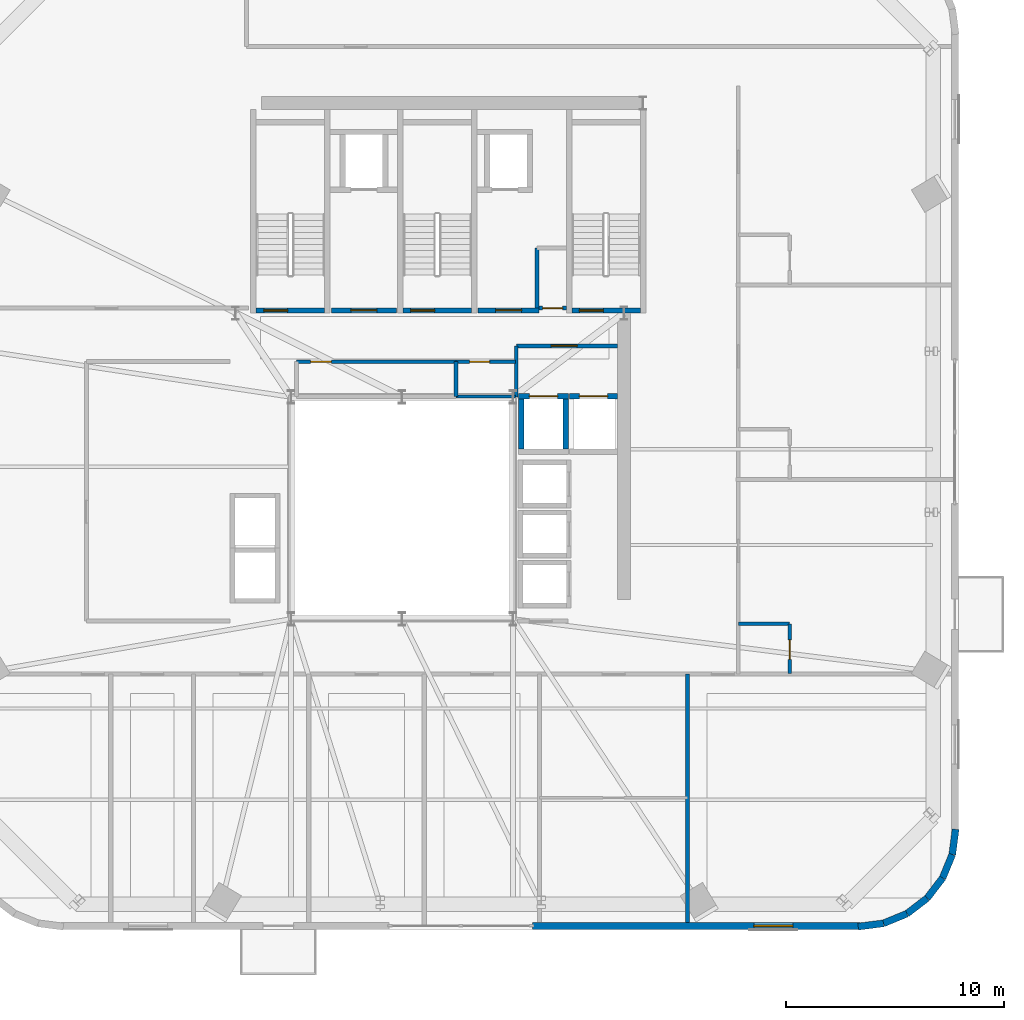
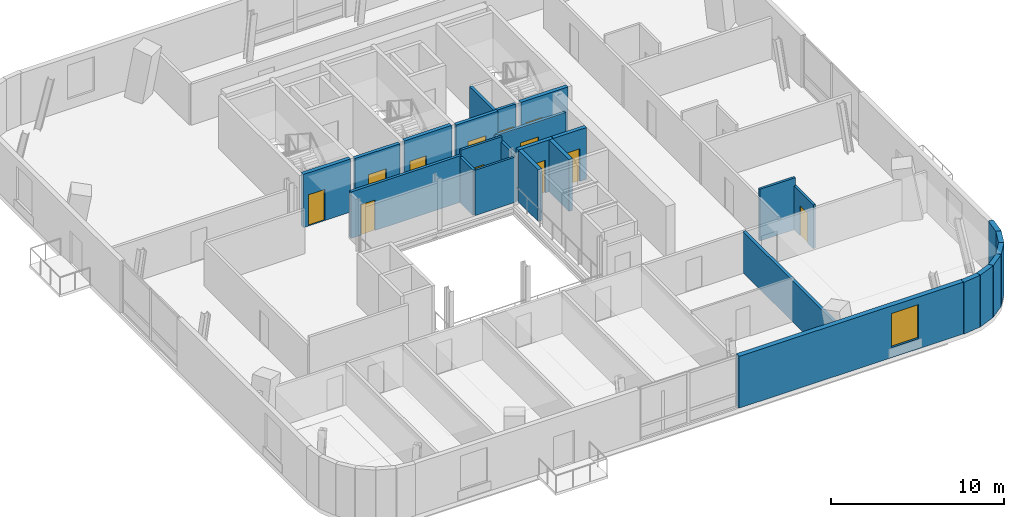
# One storey, part 9 of 15: 27 walls, 12 doors, 1 window, 13 openings.
"""IFC4 building model written with IfcOpenShell, lengths in metres."""

from ifc_helpers import new_model, si_unit, direction, frame, frame_2d, origin, place, context, subcontext, project, spatial, rectangle, extrude, source, transform, mapped, material, layer, layer_set, type_object, element, fill, save


model = new_model("IFC4")

# Units and contexts
model_context = context("Model", 3, precision=1e-05, world=origin(), true_north=direction((0.0, 1.0)))
body_context = subcontext(model_context, "Body", "Model", "MODEL_VIEW")
ifc_project = project(units=[si_unit("LENGTHUNIT", "METRE"), si_unit("AREAUNIT", "SQUARE_METRE"), si_unit("VOLUMEUNIT", "CUBIC_METRE"), si_unit("PLANEANGLEUNIT", "RADIAN"), si_unit("MASSUNIT", "GRAM", prefix="KILO")], contexts=[model_context])

# Site, building, storey
site_placement = place(None, origin())
site = spatial("IfcSite", under=ifc_project, at=site_placement, CompositionType="ELEMENT")
building_placement = place(site_placement, origin())
building = spatial("IfcBuilding", under=site, at=building_placement, Name="Vardaveli Station Tower", CompositionType="ELEMENT")
storey_placement = place(building_placement, frame((0.0, 0.0, 258.5)))
storey = spatial("IfcBuildingStorey", under=building, at=storey_placement, Name="L66", CompositionType="ELEMENT", Elevation=258.5)

# Walls
ifc_material_1 = material(Name="Precast concrete C45/55", Category="concrete")
ifc_layer_1 = layer(ifc_material_1, 0.320068359375, Name="Precast concrete C45/55")
ifc_layer_set_1 = layer_set([ifc_layer_1], Name="Precast concrete C45/55")
wall_type_1 = type_object("IfcWallType", Name="WAL-EXT-STONE-320", PredefinedType="SOLIDWALL", material=ifc_layer_set_1)
shared_shape_1 = source(origin(), body_context, "Body", "SweptSolid", [
    extrude(rectangle(XDim=1.1689453125, YDim=0.320068359375, at=frame_2d((0.58447265625, 0.0))), origin(), (0.0, 0.0, 1.0), 3.64990234375),
])
wall_1_placement = place(storey_placement, frame((58.42041015625, 2.61474609375, 0.0), z_axis=(0.0, 0.0, 1.0), x_axis=(0.924522320046, 0.381127904695, 0.0)))
element("IfcWall", 1, at=wall_1_placement, inside=storey, type_object=wall_type_1, Name="EW-L66-CR2-2", PredefinedType="SOLIDWALL", context=body_context, shape_type="MappedRepresentation", body=[
    mapped(shared_shape_1, transform((0.0, 0.0, 0.0), scale=1.0)),
])
shared_shape_2 = source(origin(), body_context, "Body", "SweptSolid", [
    extrude(rectangle(XDim=1.168701171875, YDim=0.320068359375, at=frame_2d((0.58447265625, 0.0))), origin(), (0.0, 0.0, 1.0), 3.64990234375),
])
wall_2_placement = place(storey_placement, frame((59.501220703125, 3.060302734375, 0.0), z_axis=(0.0, 0.0, 1.0), x_axis=(0.793740819745, 0.608256122921, 0.0)))
element("IfcWall", 2, at=wall_2_placement, inside=storey, type_object=wall_type_1, Name="EW-L66-CR2-3", PredefinedType="SOLIDWALL", context=body_context, shape_type="MappedRepresentation", body=[
    mapped(shared_shape_2, transform((0.0, 0.0, 0.0), scale=1.0)),
])
shared_shape_3 = source(origin(), body_context, "Body", "SweptSolid", [
    extrude(rectangle(XDim=1.170166015625, YDim=0.320068359375, at=frame_2d((0.5849609375, 0.0))), origin(), (0.0, 0.0, 1.0), 3.64990234375),
])
for number, where, z_axis, x_axis, name in (
    (3, (57.259765625, 2.46484375, 0.0), (0.0, 0.0, 1.0), (0.991762485493, 0.128090485085, 0.0), "EW-L66-CR2-1"),
    (4, (61.58544921875, 5.779541015625, 0.0), (0.0, 0.0, 1.0), (0.128090485085, 0.991762485493, 0.0), "EW-L66-CR2-6"),
):
    element("IfcWall", number, at=place(storey_placement, frame(where, z_axis=z_axis, x_axis=x_axis)), inside=storey, type_object=wall_type_1, Name=name, PredefinedType="SOLIDWALL", context=body_context, shape_type="MappedRepresentation", body=[
        mapped(shared_shape_3, transform((0.0, 0.0, 0.0), scale=1.0)),
    ])
shared_shape_4 = source(origin(), body_context, "Body", "SweptSolid", [
    extrude(rectangle(XDim=1.169189453125, YDim=0.320068359375, at=frame_2d((0.58447265625, 0.0))), origin(), (0.0, 0.0, 1.0), 3.64990234375),
])
wall_3_placement = place(storey_placement, frame((61.1396484375, 4.69873046875, 0.0), z_axis=(0.0, 0.0, 1.0), x_axis=(0.381306385215, 0.924448722534, 0.0)))
element("IfcWall", 5, at=wall_3_placement, inside=storey, type_object=wall_type_1, Name="EW-L66-CR2-5", PredefinedType="SOLIDWALL", context=body_context, shape_type="MappedRepresentation", body=[
    mapped(shared_shape_4, transform((0.0, 0.0, 0.0), scale=1.0)),
])

# Wall, opening, window
shared_shape_5 = source(origin(), body_context, "Body", "SweptSolid", [
    extrude(rectangle(XDim=15.06005859375, YDim=0.320068359375, at=frame_2d((7.530029296875, 0.0))), origin(), (0.0, 0.0, 1.0), 3.64990234375),
])
wall_4_placement = place(storey_placement, frame((42.300048828125, 2.5, 0.0), z_axis=(0.0, 0.0, 1.0), x_axis=(1.0, 0.0, 0.0)))
wall_4 = element("IfcWall", 6, at=wall_4_placement, inside=storey, type_object=wall_type_1, Name="EW-L66-S2", PredefinedType="SOLIDWALL", context=body_context, shape_type="MappedRepresentation", body=[
    mapped(shared_shape_5, transform((0.0, 0.0, 0.0), scale=1.0)),
])
shared_shape_6 = source(origin(), body_context, "Body", "SweptSolid", [
    extrude(rectangle(XDim=1.800048828125, YDim=2.39990234375, at=frame_2d((0.89990234375, 1.199951171875))), frame((0.0, 0.169921875, 0.0), z_axis=(0.0, -1.0, 0.0), x_axis=(1.0, 0.0, 0.0)), (0.0, 0.0, 1.0), 0.340087890625),
])
opening_1_placement = place(wall_4_placement, frame((10.1630859375, 0.0, 0.719970703125)))
opening_1 = element("IfcOpeningElement", 7, at=opening_1_placement, cuts=wall_4, Name="Opening W-05", PredefinedType="OPENING", context=body_context, shape_type="MappedRepresentation", body=[
    mapped(shared_shape_6, transform((0.0, 0.0, 0.0), scale=1.0)),
])
ifc_material_2 = material(Name="Low-E solar-control glass", Category="glass")
window_type = type_object("IfcWindowType", Name="WIN-HIGH-1800x2400", PartitioningType="SINGLE_PANEL", PredefinedType="WINDOW", material=ifc_material_2)
shared_shape_7 = source(origin(), body_context, "Body", "SweptSolid", [
    extrude(rectangle(XDim=1.800048828125, YDim=2.39990234375, at=frame_2d((0.89990234375, 1.199951171875))), frame((0.0, 0.030029296875, 0.0), z_axis=(0.0, -1.0, 0.0), x_axis=(1.0, 0.0, 0.0)), (0.0, 0.0, 1.0), 0.06005859375),
])
window_placement = place(opening_1_placement, origin())
window = element("IfcWindow", 8, at=window_placement, inside=storey, type_object=window_type, Name="WN-L66-S2", OverallHeight=2.39990234375, OverallWidth=1.800048828125, PartitioningType="SINGLE_PANEL", PredefinedType="WINDOW", context=body_context, shape_type="MappedRepresentation", body=[
    mapped(shared_shape_7, transform((0.0, 0.0, 0.0), scale=1.0)),
])
fill(opening_1, window)

# Wall
shared_shape_8 = source(origin(), body_context, "Body", "SweptSolid", [
    extrude(rectangle(XDim=1.16845703125, YDim=0.320068359375, at=frame_2d((0.584228515625, 0.0))), origin(), (0.0, 0.0, 1.0), 3.64990234375),
])
wall_5_placement = place(storey_placement, frame((60.428955078125, 3.771240234375, 0.0), z_axis=(0.0, 0.0, 1.0), x_axis=(0.60822536085, 0.79376439226, 0.0)))
element("IfcWall", 9, at=wall_5_placement, inside=storey, type_object=wall_type_1, Name="EW-L66-CR2-4", PredefinedType="SOLIDWALL", context=body_context, shape_type="MappedRepresentation", body=[
    mapped(shared_shape_8, transform((0.0, 0.0, 0.0), scale=1.0)),
])

# Wall, opening, door
ifc_material_3 = material(Name="Concrete C40/50", Category="concrete")
ifc_layer_2 = layer(ifc_material_3, 0.25, Name="Concrete C40/50")
ifc_layer_set_2 = layer_set([ifc_layer_2], Name="Concrete C40/50")
wall_type_2 = type_object("IfcWallType", Name="WAL-SHAFT-250", PredefinedType="SOLIDWALL", material=ifc_layer_set_2)
shared_shape_9 = source(origin(), body_context, "Body", "SweptSolid", [
    extrude(rectangle(XDim=3.14990234375, YDim=0.25, at=frame_2d((1.574951171875, 0.0))), origin(), (0.0, 0.0, 1.0), 3.75),
])
wall_6_placement = place(storey_placement, frame((29.60009765625, 30.77490234375, 0.0), z_axis=(0.0, 0.0, 1.0), x_axis=(1.0, 0.0, 0.0)))
wall_6 = element("IfcWall", 10, at=wall_6_placement, inside=storey, type_object=wall_type_2, Name="W-L66-ST-1S", PredefinedType="SOLIDWALL", context=body_context, shape_type="MappedRepresentation", body=[
    mapped(shared_shape_9, transform((0.0, 0.0, 0.0), scale=1.0)),
])
shared_shape_10 = source(origin(), body_context, "Body", "SweptSolid", [
    extrude(rectangle(XDim=1.10009765625, YDim=2.199951171875, at=frame_2d((0.550048828125, 1.10009765625))), frame((0.0, 0.135009765625, 0.0), z_axis=(0.0, -1.0, 0.0), x_axis=(1.0, 0.0, 0.0)), (0.0, 0.0, 1.0), 0.27001953125),
])
opening_2_placement = place(wall_6_placement, frame((0.35009765625, 0.0, 0.0)))
opening_2 = element("IfcOpeningElement", 11, at=opening_2_placement, cuts=wall_6, Name="Opening D-04", PredefinedType="OPENING", context=body_context, shape_type="MappedRepresentation", body=[
    mapped(shared_shape_10, transform((0.0, 0.0, 0.0), scale=1.0)),
])
ifc_material_4 = material(Name="Steel smokeproof fire doorset", Category="steel")
door_type_1 = type_object("IfcDoorType", Name="DR-ST-1100x2200", OperationType="NOTDEFINED", PredefinedType="DOOR", material=ifc_material_4)
shared_shape_11 = source(origin(), body_context, "Body", "SweptSolid", [
    extrude(rectangle(XDim=1.10009765625, YDim=2.199951171875, at=frame_2d((0.550048828125, 1.10009765625))), frame((0.0, 0.02490234375, 0.0), z_axis=(0.0, -1.0, 0.0), x_axis=(1.0, 0.0, 0.0)), (0.0, 0.0, 1.0), 0.050048828125),
])
door_1_placement = place(opening_2_placement, origin())
door_1 = element("IfcDoor", 12, at=door_1_placement, inside=storey, type_object=door_type_1, Name="DST-1-L66", OperationType="SINGLE_SWING_LEFT", OverallHeight=2.199951171875, OverallWidth=1.10009765625, PredefinedType="DOOR", context=body_context, shape_type="MappedRepresentation", body=[
    mapped(shared_shape_11, transform((0.0, 0.0, 0.0), scale=1.0)),
])
fill(opening_2, door_1)

wall_7_placement = place(storey_placement, frame((36.35009765625, 30.77490234375, 0.0), z_axis=(0.0, 0.0, 1.0), x_axis=(1.0, 0.0, 0.0)))
wall_7 = element("IfcWall", 13, at=wall_7_placement, inside=storey, type_object=wall_type_2, Name="W-L66-ST-2S", PredefinedType="SOLIDWALL", context=body_context, shape_type="MappedRepresentation", body=[
    mapped(shared_shape_9, transform((0.0, 0.0, 0.0), scale=1.0)),
])
opening_3_placement = place(wall_7_placement, frame((0.35009765625, 0.0, 0.0)))
opening_3 = element("IfcOpeningElement", 14, at=opening_3_placement, cuts=wall_7, Name="Opening D-04", PredefinedType="OPENING", context=body_context, shape_type="MappedRepresentation", body=[
    mapped(shared_shape_10, transform((0.0, 0.0, 0.0), scale=1.0)),
])
door_2_placement = place(opening_3_placement, origin())
door_2 = element("IfcDoor", 15, at=door_2_placement, inside=storey, type_object=door_type_1, Name="DST-2-L66", OperationType="SINGLE_SWING_LEFT", OverallHeight=2.199951171875, OverallWidth=1.10009765625, PredefinedType="DOOR", context=body_context, shape_type="MappedRepresentation", body=[
    mapped(shared_shape_11, transform((0.0, 0.0, 0.0), scale=1.0)),
])
fill(opening_3, door_2)

wall_8_placement = place(storey_placement, frame((44.10009765625, 30.77490234375, 0.0), z_axis=(0.0, 0.0, 1.0), x_axis=(1.0, 0.0, 0.0)))
wall_8 = element("IfcWall", 16, at=wall_8_placement, inside=storey, type_object=wall_type_2, Name="W-L66-ST-3S", PredefinedType="SOLIDWALL", context=body_context, shape_type="MappedRepresentation", body=[
    mapped(shared_shape_9, transform((0.0, 0.0, 0.0), scale=1.0)),
])
opening_4_placement = place(wall_8_placement, frame((0.35009765625, 0.0, 0.0)))
opening_4 = element("IfcOpeningElement", 17, at=opening_4_placement, cuts=wall_8, Name="Opening D-04", PredefinedType="OPENING", context=body_context, shape_type="MappedRepresentation", body=[
    mapped(shared_shape_10, transform((0.0, 0.0, 0.0), scale=1.0)),
])
door_3_placement = place(opening_4_placement, origin())
door_3 = element("IfcDoor", 18, at=door_3_placement, inside=storey, type_object=door_type_1, Name="DST-3-L66", OperationType="SINGLE_SWING_LEFT", OverallHeight=2.199951171875, OverallWidth=1.10009765625, PredefinedType="DOOR", context=body_context, shape_type="MappedRepresentation", body=[
    mapped(shared_shape_11, transform((0.0, 0.0, 0.0), scale=1.0)),
])
fill(opening_4, door_3)

ifc_layer_3 = layer(ifc_material_3, 0.219970703125, Name="Concrete C40/50")
ifc_layer_set_3 = layer_set([ifc_layer_3], Name="Concrete C40/50")
wall_type_3 = type_object("IfcWallType", Name="WAL-FFLOBBY-220", PredefinedType="SOLIDWALL", material=ifc_layer_set_3)
shared_shape_12 = source(origin(), body_context, "Body", "SweptSolid", [
    extrude(rectangle(XDim=3.0, YDim=0.219970703125, at=frame_2d((1.5, 0.0))), origin(), (0.0, 0.0, 1.0), 3.64990234375),
])
wall_9_placement = place(storey_placement, frame((33.050048828125, 30.780029296875, 0.0), z_axis=(0.0, 0.0, 1.0), x_axis=(1.0, 0.0, 0.0)))
wall_9 = element("IfcWall", 19, at=wall_9_placement, inside=storey, type_object=wall_type_3, Name="W-L66-FFL1S", PredefinedType="SOLIDWALL", context=body_context, shape_type="MappedRepresentation", body=[
    mapped(shared_shape_12, transform((0.0, 0.0, 0.0), scale=1.0)),
])
shared_shape_13 = source(origin(), body_context, "Body", "SweptSolid", [
    extrude(rectangle(XDim=1.199951171875, YDim=2.199951171875, at=frame_2d((0.60009765625, 1.10009765625))), frame((0.0, 0.1201171875, 0.0), z_axis=(0.0, -1.0, 0.0), x_axis=(1.0, 0.0, 0.0)), (0.0, 0.0, 1.0), 0.239990234375),
])
opening_5_placement = place(wall_9_placement, frame((0.89990234375, 0.0, 0.0)))
opening_5 = element("IfcOpeningElement", 20, at=opening_5_placement, cuts=wall_9, Name="Opening D-03", PredefinedType="OPENING", context=body_context, shape_type="MappedRepresentation", body=[
    mapped(shared_shape_13, transform((0.0, 0.0, 0.0), scale=1.0)),
])
door_type_2 = type_object("IfcDoorType", Name="DR-FFL-1200x2200", OperationType="NOTDEFINED", PredefinedType="DOOR", material=ifc_material_4)
shared_shape_14 = source(origin(), body_context, "Body", "SweptSolid", [
    extrude(rectangle(XDim=1.199951171875, YDim=2.199951171875, at=frame_2d((0.60009765625, 1.10009765625))), frame((0.0, 0.02490234375, 0.0), z_axis=(0.0, -1.0, 0.0), x_axis=(1.0, 0.0, 0.0)), (0.0, 0.0, 1.0), 0.050048828125),
])
door_4_placement = place(opening_5_placement, origin())
door_4 = element("IfcDoor", 21, at=door_4_placement, inside=storey, type_object=door_type_2, Name="DFFL1-L66", OperationType="SINGLE_SWING_LEFT", OverallHeight=2.199951171875, OverallWidth=1.199951171875, PredefinedType="DOOR", context=body_context, shape_type="MappedRepresentation", body=[
    mapped(shared_shape_14, transform((0.0, 0.0, 0.0), scale=1.0)),
])
fill(opening_5, door_4)

shared_shape_15 = source(origin(), body_context, "Body", "SweptSolid", [
    extrude(rectangle(XDim=2.800048828125, YDim=0.219970703125, at=frame_2d((1.39990234375, 0.0))), origin(), (0.0, 0.0, 1.0), 3.64990234375),
])
wall_10_placement = place(storey_placement, frame((39.800048828125, 30.780029296875, 0.0), z_axis=(0.0, 0.0, 1.0), x_axis=(1.0, 0.0, 0.0)))
wall_10 = element("IfcWall", 22, at=wall_10_placement, inside=storey, type_object=wall_type_3, Name="W-L66-FFL2S", PredefinedType="SOLIDWALL", context=body_context, shape_type="MappedRepresentation", body=[
    mapped(shared_shape_15, transform((0.0, 0.0, 0.0), scale=1.0)),
])
opening_6_placement = place(wall_10_placement, frame((0.800048828125, 0.0, 0.0)))
opening_6 = element("IfcOpeningElement", 23, at=opening_6_placement, cuts=wall_10, Name="Opening D-03", PredefinedType="OPENING", context=body_context, shape_type="MappedRepresentation", body=[
    mapped(shared_shape_13, transform((0.0, 0.0, 0.0), scale=1.0)),
])
door_5_placement = place(opening_6_placement, origin())
door_5 = element("IfcDoor", 24, at=door_5_placement, inside=storey, type_object=door_type_2, Name="DFFL2-L66", OperationType="SINGLE_SWING_RIGHT", OverallHeight=2.199951171875, OverallWidth=1.199951171875, PredefinedType="DOOR", context=body_context, shape_type="MappedRepresentation", body=[
    mapped(shared_shape_14, transform((0.0, 0.0, 0.0), scale=1.0)),
])
fill(opening_6, door_5)

shared_shape_16 = source(origin(), body_context, "Body", "SweptSolid", [
    extrude(rectangle(XDim=2.300048828125, YDim=0.25, at=frame_2d((1.14990234375, 0.0))), origin(), (0.0, 0.0, 1.0), 3.64990234375),
])
wall_11_placement = place(storey_placement, frame((41.64990234375, 26.824951171875, 0.0), z_axis=(0.0, 0.0, 1.0), x_axis=(1.0, 0.0, 0.0)))
wall_11 = element("IfcWall", 25, at=wall_11_placement, inside=storey, type_object=wall_type_2, Name="SHW-SRV-01-L66-N", PredefinedType="SOLIDWALL", context=body_context, shape_type="MappedRepresentation", body=[
    mapped(shared_shape_16, transform((0.0, 0.0, 0.0), scale=1.0)),
])
shared_shape_17 = source(origin(), body_context, "Body", "SweptSolid", [
    extrude(rectangle(XDim=1.300048828125, YDim=2.300048828125, at=frame_2d((0.64990234375, 1.14990234375))), frame((0.0, 0.135009765625, 0.0), z_axis=(0.0, -1.0, 0.0), x_axis=(1.0, 0.0, 0.0)), (0.0, 0.0, 1.0), 0.27001953125),
])
opening_7_placement = place(wall_11_placement, frame((0.5, 0.0, 0.0)))
opening_7 = element("IfcOpeningElement", 26, at=opening_7_placement, cuts=wall_11, Name="Opening LD-03", PredefinedType="OPENING", context=body_context, shape_type="MappedRepresentation", body=[
    mapped(shared_shape_17, transform((0.0, 0.0, 0.0), scale=1.0)),
])
ifc_material_5 = material(Name="Brushed stainless steel", Category="steel")
door_type_3 = type_object("IfcDoorType", Name="DR-LD-1300x2300", OperationType="DOUBLE_DOOR_SLIDING", PredefinedType="DOOR", material=ifc_material_5)
shared_shape_18 = source(origin(), body_context, "Body", "SweptSolid", [
    extrude(rectangle(XDim=1.300048828125, YDim=2.300048828125, at=frame_2d((0.64990234375, 1.14990234375))), frame((0.0, 0.02490234375, 0.0), z_axis=(0.0, -1.0, 0.0), x_axis=(1.0, 0.0, 0.0)), (0.0, 0.0, 1.0), 0.050048828125),
])
door_6_placement = place(opening_7_placement, origin())
door_6 = element("IfcDoor", 27, at=door_6_placement, inside=storey, type_object=door_type_3, Name="LD-SRV-01-L66", OperationType="DOUBLE_DOOR_SLIDING", OverallHeight=2.300048828125, OverallWidth=1.300048828125, PredefinedType="DOOR", context=body_context, shape_type="MappedRepresentation", body=[
    mapped(shared_shape_18, transform((0.0, 0.0, 0.0), scale=1.0)),
])
fill(opening_7, door_6)

# Walls
for number, where, z_axis, x_axis, name in (
    (28, (41.77490234375, 24.39990234375, 0.0), (0.0, 0.0, 1.0), (0.0, 1.0, 0.0), "SHW-SRV-01-L66-W"),
    (29, (43.824951171875, 24.39990234375, 0.0), (0.0, 0.0, 1.0), (0.0, 1.0, 0.0), "SHW-SRV-01-L66-E"),
):
    element("IfcWall", number, at=place(storey_placement, frame(where, z_axis=z_axis, x_axis=x_axis)), inside=storey, type_object=wall_type_2, Name=name, PredefinedType="SOLIDWALL", context=body_context, shape_type="MappedRepresentation", body=[
        mapped(shared_shape_16, transform((0.0, 0.0, 0.0), scale=1.0)),
    ])

# Wall, opening, door
shared_shape_19 = source(origin(), body_context, "Body", "SweptSolid", [
    extrude(rectangle(XDim=2.199951171875, YDim=0.25, at=frame_2d((1.10009765625, 0.0))), origin(), (0.0, 0.0, 1.0), 3.64990234375),
])
wall_12_placement = place(storey_placement, frame((44.0, 26.824951171875, 0.0), z_axis=(0.0, 0.0, 1.0), x_axis=(1.0, 0.0, 0.0)))
wall_12 = element("IfcWall", 30, at=wall_12_placement, inside=storey, type_object=wall_type_2, Name="SHW-SRV-02-L66-N", PredefinedType="SOLIDWALL", context=body_context, shape_type="MappedRepresentation", body=[
    mapped(shared_shape_19, transform((0.0, 0.0, 0.0), scale=1.0)),
])
opening_8_placement = place(wall_12_placement, frame((0.449951171875, 0.0, 0.0)))
opening_8 = element("IfcOpeningElement", 31, at=opening_8_placement, cuts=wall_12, Name="Opening LD-03", PredefinedType="OPENING", context=body_context, shape_type="MappedRepresentation", body=[
    mapped(shared_shape_17, transform((0.0, 0.0, 0.0), scale=1.0)),
])
door_7_placement = place(opening_8_placement, origin())
door_7 = element("IfcDoor", 32, at=door_7_placement, inside=storey, type_object=door_type_3, Name="LD-SRV-02-L66", OperationType="DOUBLE_DOOR_SLIDING", OverallHeight=2.300048828125, OverallWidth=1.300048828125, PredefinedType="DOOR", context=body_context, shape_type="MappedRepresentation", body=[
    mapped(shared_shape_18, transform((0.0, 0.0, 0.0), scale=1.0)),
])
fill(opening_8, door_7)

ifc_material_6 = material(Name="Fire-rated gypsum stud partition")
ifc_layer_4 = layer(ifc_material_6, 0.179931640625, Name="Fire-rated gypsum stud partition")
ifc_layer_set_4 = layer_set([ifc_layer_4], Name="Fire-rated gypsum stud partition")
wall_type_4 = type_object("IfcWallType", Name="WAL-CORR-180", PredefinedType="PARTITIONING", material=ifc_layer_set_4)
shared_shape_20 = source(origin(), body_context, "Body", "SweptSolid", [
    extrude(rectangle(XDim=4.64794921875, YDim=0.179931640625, at=frame_2d((2.323974609375, 0.0))), origin(), (0.0, 0.0, 1.0), 3.281982421875),
])
wall_13_placement = place(storey_placement, frame((41.550048828125, 29.14990234375, 0.0), z_axis=(0.0, 0.0, 1.0), x_axis=(1.0, 0.0, 0.0)))
wall_13 = element("IfcWall", 33, at=wall_13_placement, inside=storey, type_object=wall_type_4, Name="W-L66-SVFN", PredefinedType="PARTITIONING", context=body_context, shape_type="MappedRepresentation", body=[
    mapped(shared_shape_20, transform((0.0, 0.0, 0.0), scale=1.0)),
])
shared_shape_21 = source(origin(), body_context, "Body", "SweptSolid", [
    extrude(rectangle(XDim=1.199951171875, YDim=2.199951171875, at=frame_2d((0.60009765625, 1.10009765625))), frame((0.0, 0.10009765625, 0.0), z_axis=(0.0, -1.0, 0.0), x_axis=(1.0, 0.0, 0.0)), (0.0, 0.0, 1.0), 0.199951171875),
])
opening_9_placement = place(wall_13_placement, frame((1.60009765625, 0.0, 0.0)))
opening_9 = element("IfcOpeningElement", 34, at=opening_9_placement, cuts=wall_13, Name="Opening D-03", PredefinedType="OPENING", context=body_context, shape_type="MappedRepresentation", body=[
    mapped(shared_shape_21, transform((0.0, 0.0, 0.0), scale=1.0)),
])
door_8_placement = place(opening_9_placement, origin())
door_8 = element("IfcDoor", 35, at=door_8_placement, inside=storey, type_object=door_type_2, Name="D-L66-SVF", OperationType="SINGLE_SWING_LEFT", OverallHeight=2.199951171875, OverallWidth=1.199951171875, PredefinedType="DOOR", context=body_context, shape_type="MappedRepresentation", body=[
    mapped(shared_shape_14, transform((0.0, 0.0, 0.0), scale=1.0)),
])
fill(opening_9, door_8)

# Walls
ifc_material_7 = material(Name="Moisture-resistant stud partition")
ifc_layer_5 = layer(ifc_material_7, 0.14990234375, Name="Moisture-resistant stud partition")
ifc_layer_set_5 = layer_set([ifc_layer_5], Name="Moisture-resistant stud partition")
wall_type_5 = type_object("IfcWallType", Name="WAL-WET-150", PredefinedType="PARTITIONING", material=ifc_layer_set_5)
shared_shape_22 = source(origin(), body_context, "Body", "SweptSolid", [
    extrude(rectangle(XDim=2.360107421875, YDim=0.14990234375, at=frame_2d((1.18017578125, 0.0))), origin(), (0.0, 0.0, 1.0), 3.64990234375),
])
wall_14_placement = place(storey_placement, frame((51.75, 16.3798828125, 0.0), z_axis=(0.0, 0.0, 1.0), x_axis=(1.0, 0.0, 0.0)))
element("IfcWall", 36, at=wall_14_placement, inside=storey, type_object=wall_type_5, Name="W-L66-BE1-N", PredefinedType="PARTITIONING", context=body_context, shape_type="MappedRepresentation", body=[
    mapped(shared_shape_22, transform((0.0, 0.0, 0.0), scale=1.0)),
])
shared_shape_23 = source(origin(), body_context, "Body", "SweptSolid", [
    extrude(rectangle(XDim=2.349853515625, YDim=0.179931640625, at=frame_2d((1.1748046875, 0.0))), origin(), (0.0, 0.0, 1.0), 3.281982421875),
])
wall_15_placement = place(storey_placement, frame((41.550048828125, 26.800048828125, 0.0), z_axis=(0.0, 0.0, 1.0), x_axis=(0.0, 1.0, 0.0)))
element("IfcWall", 37, at=wall_15_placement, inside=storey, type_object=wall_type_4, Name="W-L66-SVFW", PredefinedType="PARTITIONING", context=body_context, shape_type="MappedRepresentation", body=[
    mapped(shared_shape_23, transform((0.0, 0.0, 0.0), scale=1.0)),
])

# Wall, opening, door
shared_shape_24 = source(origin(), body_context, "Body", "SweptSolid", [
    extrude(rectangle(XDim=1.247802734375, YDim=0.179931640625, at=frame_2d((0.6240234375, 0.0))), origin(), (0.0, 0.0, 1.0), 3.64990234375),
])
wall_16_placement = place(storey_placement, frame((42.60009765625, 30.8798828125, 0.0), z_axis=(0.0, 0.0, 1.0), x_axis=(1.0, 0.0, 0.0)))
wall_16 = element("IfcWall", 38, at=wall_16_placement, inside=storey, type_object=wall_type_4, Name="W-L66-CBS0-S", PredefinedType="PARTITIONING", context=body_context, shape_type="MappedRepresentation", body=[
    mapped(shared_shape_24, transform((0.0, 0.0, 0.0), scale=1.0)),
])
shared_shape_25 = source(origin(), body_context, "Body", "SweptSolid", [
    extrude(rectangle(XDim=0.919921875, YDim=2.10009765625, at=frame_2d((0.4599609375, 1.050048828125))), frame((0.0, 0.10009765625, 0.0), z_axis=(0.0, -1.0, 0.0), x_axis=(1.0, 0.0, 0.0)), (0.0, 0.0, 1.0), 0.199951171875),
])
opening_10_placement = place(wall_16_placement, frame((0.1640625, 0.0, 0.0)))
opening_10 = element("IfcOpeningElement", 39, at=opening_10_placement, cuts=wall_16, Name="Opening D-07", PredefinedType="OPENING", context=body_context, shape_type="MappedRepresentation", body=[
    mapped(shared_shape_25, transform((0.0, 0.0, 0.0), scale=1.0)),
])
ifc_material_8 = material(Name="Moisture-resistant hardwood door", Category="wood")
door_type_4 = type_object("IfcDoorType", Name="DR-WC-920x2100", OperationType="NOTDEFINED", PredefinedType="DOOR", material=ifc_material_8)
shared_shape_26 = source(origin(), body_context, "Body", "SweptSolid", [
    extrude(rectangle(XDim=0.919921875, YDim=2.10009765625, at=frame_2d((0.4599609375, 1.050048828125))), frame((0.0, 0.02490234375, 0.0), z_axis=(0.0, -1.0, 0.0), x_axis=(1.0, 0.0, 0.0)), (0.0, 0.0, 1.0), 0.050048828125),
])
door_9_placement = place(opening_10_placement, origin())
door_9 = element("IfcDoor", 40, at=door_9_placement, inside=storey, type_object=door_type_4, Name="D-L66-CBS0", OperationType="SINGLE_SWING_LEFT", OverallHeight=2.10009765625, OverallWidth=0.919921875, PredefinedType="DOOR", context=body_context, shape_type="MappedRepresentation", body=[
    mapped(shared_shape_26, transform((0.0, 0.0, 0.0), scale=1.0)),
])
fill(opening_10, door_9)

# Wall
shared_shape_27 = source(origin(), body_context, "Body", "SweptSolid", [
    extrude(rectangle(XDim=1.599853515625, YDim=0.179931640625, at=frame_2d((0.7998046875, 0.0))), origin(), (0.0, 0.0, 1.0), 3.19189453125),
])
wall_17_placement = place(storey_placement, frame((38.780029296875, 26.820068359375, 0.0), z_axis=(0.0, 0.0, 1.0), x_axis=(0.0, 1.0, 0.0)))
element("IfcWall", 41, at=wall_17_placement, inside=storey, type_object=wall_type_4, Name="W-L66-HKP0-E", PredefinedType="PARTITIONING", context=body_context, shape_type="MappedRepresentation", body=[
    mapped(shared_shape_27, transform((0.0, 0.0, 0.0), scale=1.0)),
])

# Wall, opening, door
shared_shape_28 = source(origin(), body_context, "Body", "SweptSolid", [
    extrude(rectangle(XDim=7.330078125, YDim=0.179931640625, at=frame_2d((3.6650390625, 0.0))), origin(), (0.0, 0.0, 1.0), 3.281982421875),
])
wall_18_placement = place(storey_placement, frame((31.449951171875, 28.419921875, 0.0), z_axis=(0.0, 0.0, 1.0), x_axis=(1.0, 0.0, 0.0)))
wall_18 = element("IfcWall", 42, at=wall_18_placement, inside=storey, type_object=wall_type_4, Name="W-L66-HKP0-N", PredefinedType="PARTITIONING", context=body_context, shape_type="MappedRepresentation", body=[
    mapped(shared_shape_28, transform((0.0, 0.0, 0.0), scale=1.0)),
])
shared_shape_29 = source(origin(), body_context, "Body", "SweptSolid", [
    extrude(rectangle(XDim=0.949951171875, YDim=2.14990234375, at=frame_2d((0.47509765625, 1.074951171875))), frame((0.0, 0.10009765625, 0.0), z_axis=(0.0, -1.0, 0.0), x_axis=(1.0, 0.0, 0.0)), (0.0, 0.0, 1.0), 0.199951171875),
])
opening_11_placement = place(wall_18_placement, frame((0.64990234375, 0.0, 0.0)))
opening_11 = element("IfcOpeningElement", 43, at=opening_11_placement, cuts=wall_18, Name="Opening D-06", PredefinedType="OPENING", context=body_context, shape_type="MappedRepresentation", body=[
    mapped(shared_shape_29, transform((0.0, 0.0, 0.0), scale=1.0)),
])
ifc_material_9 = material(Name="Oak veneer acoustic fire door")
door_type_5 = type_object("IfcDoorType", Name="DR-GUEST-950x2150", OperationType="NOTDEFINED", PredefinedType="DOOR", material=ifc_material_9)
shared_shape_30 = source(origin(), body_context, "Body", "SweptSolid", [
    extrude(rectangle(XDim=0.949951171875, YDim=2.14990234375, at=frame_2d((0.47509765625, 1.074951171875))), frame((0.0, 0.02490234375, 0.0), z_axis=(0.0, -1.0, 0.0), x_axis=(1.0, 0.0, 0.0)), (0.0, 0.0, 1.0), 0.050048828125),
])
door_10_placement = place(opening_11_placement, origin())
door_10 = element("IfcDoor", 44, at=door_10_placement, inside=storey, type_object=door_type_5, Name="D-L66-HKP", OperationType="SINGLE_SWING_LEFT", OverallHeight=2.14990234375, OverallWidth=0.949951171875, PredefinedType="DOOR", context=body_context, shape_type="MappedRepresentation", body=[
    mapped(shared_shape_30, transform((0.0, 0.0, 0.0), scale=1.0)),
])
fill(opening_11, door_10)

shared_shape_31 = source(origin(), body_context, "Body", "SweptSolid", [
    extrude(rectangle(XDim=2.739990234375, YDim=0.14990234375, at=frame_2d((1.3701171875, 0.0))), origin(), (0.0, 0.0, 1.0), 3.64990234375),
])
wall_19_placement = place(storey_placement, frame((38.780029296875, 28.419921875, 0.0), z_axis=(0.0, 0.0, 1.0), x_axis=(1.0, 0.0, 0.0)))
wall_19 = element("IfcWall", 45, at=wall_19_placement, inside=storey, type_object=wall_type_5, Name="W-L66-WCA0-N", PredefinedType="PARTITIONING", context=body_context, shape_type="MappedRepresentation", body=[
    mapped(shared_shape_31, transform((0.0, 0.0, 0.0), scale=1.0)),
])
shared_shape_32 = source(origin(), body_context, "Body", "SweptSolid", [
    extrude(rectangle(XDim=0.919921875, YDim=2.10009765625, at=frame_2d((0.4599609375, 1.050048828125))), frame((0.0, 0.0849609375, 0.0), z_axis=(0.0, -1.0, 0.0), x_axis=(1.0, 0.0, 0.0)), (0.0, 0.0, 1.0), 0.169921875),
])
opening_12_placement = place(wall_19_placement, frame((0.6298828125, 0.0, 0.0)))
opening_12 = element("IfcOpeningElement", 46, at=opening_12_placement, cuts=wall_19, Name="Opening D-07", PredefinedType="OPENING", context=body_context, shape_type="MappedRepresentation", body=[
    mapped(shared_shape_32, transform((0.0, 0.0, 0.0), scale=1.0)),
])
door_11_placement = place(opening_12_placement, origin())
door_11 = element("IfcDoor", 47, at=door_11_placement, inside=storey, type_object=door_type_4, Name="D-L66-WCA", OperationType="SINGLE_SWING_RIGHT", OverallHeight=2.10009765625, OverallWidth=0.919921875, PredefinedType="DOOR", context=body_context, shape_type="MappedRepresentation", body=[
    mapped(shared_shape_26, transform((0.0, 0.0, 0.0), scale=1.0)),
])
fill(opening_12, door_11)

shared_shape_33 = source(origin(), body_context, "Body", "SweptSolid", [
    extrude(rectangle(XDim=2.289794921875, YDim=0.14990234375, at=frame_2d((1.14501953125, 0.0))), origin(), (0.0, 0.0, 1.0), 3.092041015625),
])
wall_20_placement = place(storey_placement, frame((54.110107421875, 14.090087890625, 0.0), z_axis=(0.0, 0.0, 1.0), x_axis=(0.0, 1.0, 0.0)))
wall_20 = element("IfcWall", 48, at=wall_20_placement, inside=storey, type_object=wall_type_5, Name="W-L66-BE1-E", PredefinedType="PARTITIONING", context=body_context, shape_type="MappedRepresentation", body=[
    mapped(shared_shape_33, transform((0.0, 0.0, 0.0), scale=1.0)),
])
shared_shape_34 = source(origin(), body_context, "Body", "SweptSolid", [
    extrude(rectangle(XDim=0.89990234375, YDim=2.10009765625, at=frame_2d((0.449951171875, 1.050048828125))), frame((0.0, 0.0849609375, 0.0), z_axis=(0.0, -1.0, 0.0), x_axis=(1.0, 0.0, 0.0)), (0.0, 0.0, 1.0), 0.169921875),
])
opening_13_placement = place(wall_20_placement, frame((0.64990234375, 0.0, 0.0)))
opening_13 = element("IfcOpeningElement", 49, at=opening_13_placement, cuts=wall_20, Name="Opening D-08", PredefinedType="OPENING", context=body_context, shape_type="MappedRepresentation", body=[
    mapped(shared_shape_34, transform((0.0, 0.0, 0.0), scale=1.0)),
])
ifc_material_10 = material(Name="Moisture-resistant oak door")
door_type_6 = type_object("IfcDoorType", Name="DR-BATH-900x2100", OperationType="NOTDEFINED", PredefinedType="DOOR", material=ifc_material_10)
shared_shape_35 = source(origin(), body_context, "Body", "SweptSolid", [
    extrude(rectangle(XDim=0.89990234375, YDim=2.10009765625, at=frame_2d((0.449951171875, 1.050048828125))), frame((0.0, 0.02490234375, 0.0), z_axis=(0.0, -1.0, 0.0), x_axis=(1.0, 0.0, 0.0)), (0.0, 0.0, 1.0), 0.050048828125),
])
door_12_placement = place(opening_13_placement, origin())
door_12 = element("IfcDoor", 50, at=door_12_placement, inside=storey, type_object=door_type_6, Name="D-L66-BE1", OperationType="SINGLE_SWING_RIGHT", OverallHeight=2.10009765625, OverallWidth=0.89990234375, PredefinedType="DOOR", context=body_context, shape_type="MappedRepresentation", body=[
    mapped(shared_shape_35, transform((0.0, 0.0, 0.0), scale=1.0)),
])
fill(opening_13, door_12)

# Walls
ifc_material_11 = material(Name="Acoustic twin-stud gypsum partition")
ifc_layer_6 = layer(ifc_material_11, 0.199951171875, Name="Acoustic twin-stud gypsum partition")
ifc_layer_set_6 = layer_set([ifc_layer_6], Name="Acoustic twin-stud gypsum partition")
wall_type_6 = type_object("IfcWallType", Name="WAL-PARTY-200", PredefinedType="PARTITIONING", material=ifc_layer_set_6)
shared_shape_36 = source(origin(), body_context, "Body", "SweptSolid", [
    extrude(rectangle(XDim=11.407958984375, YDim=0.199951171875, at=frame_2d((5.7041015625, 0.0))), origin(), (0.0, 0.0, 1.0), 2.89208984375),
])
wall_21_placement = place(storey_placement, frame((49.419921875, 2.662109375, 0.0), z_axis=(0.0, 0.0, 1.0), x_axis=(0.0, 1.0, 0.0)))
element("IfcWall", 51, at=wall_21_placement, inside=storey, type_object=wall_type_6, Name="W-L66-PS6", PredefinedType="PARTITIONING", context=body_context, shape_type="MappedRepresentation", body=[
    mapped(shared_shape_36, transform((0.0, 0.0, 0.0), scale=1.0)),
])
shared_shape_37 = source(origin(), body_context, "Body", "SweptSolid", [
    extrude(rectangle(XDim=2.7578125, YDim=0.179931640625, at=frame_2d((1.37890625, 0.0))), origin(), (0.0, 0.0, 1.0), 3.64990234375),
])
wall_22_placement = place(storey_placement, frame((42.5, 30.89208984375, 0.0), z_axis=(0.0, 0.0, 1.0), x_axis=(0.0, 1.0, 0.0)))
element("IfcWall", 52, at=wall_22_placement, inside=storey, type_object=wall_type_4, Name="W-L66-CBS0-W", PredefinedType="PARTITIONING", context=body_context, shape_type="MappedRepresentation", body=[
    mapped(shared_shape_37, transform((0.0, 0.0, 0.0), scale=1.0)),
])
shared_shape_38 = source(origin(), body_context, "Body", "SweptSolid", [
    extrude(rectangle(XDim=2.739990234375, YDim=0.14990234375, at=frame_2d((1.3701171875, 0.0))), origin(), (0.0, 0.0, 1.0), 3.19189453125),
])
wall_23_placement = place(storey_placement, frame((38.780029296875, 26.820068359375, 0.0), z_axis=(0.0, 0.0, 1.0), x_axis=(1.0, 0.0, 0.0)))
element("IfcWall", 53, at=wall_23_placement, inside=storey, type_object=wall_type_5, Name="W-L66-WCA0-S", PredefinedType="PARTITIONING", context=body_context, shape_type="MappedRepresentation", body=[
    mapped(shared_shape_38, transform((0.0, 0.0, 0.0), scale=1.0)),
])

save(model, "model.ifc")
